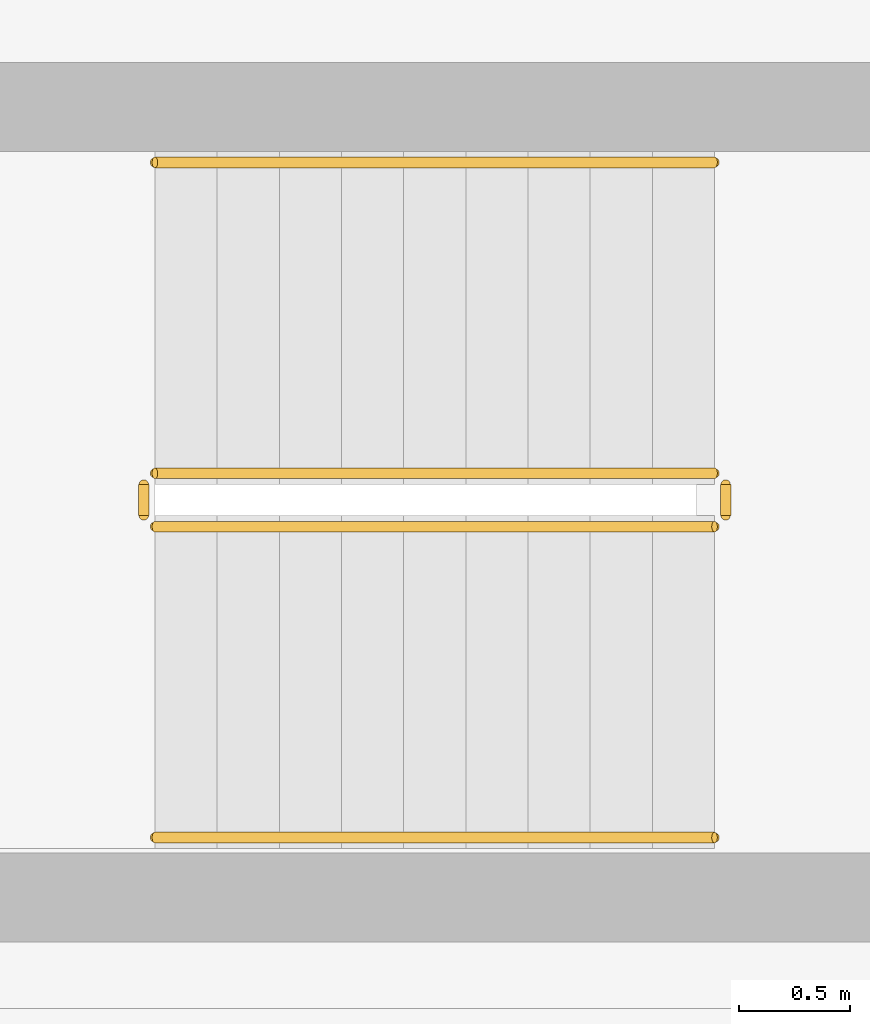
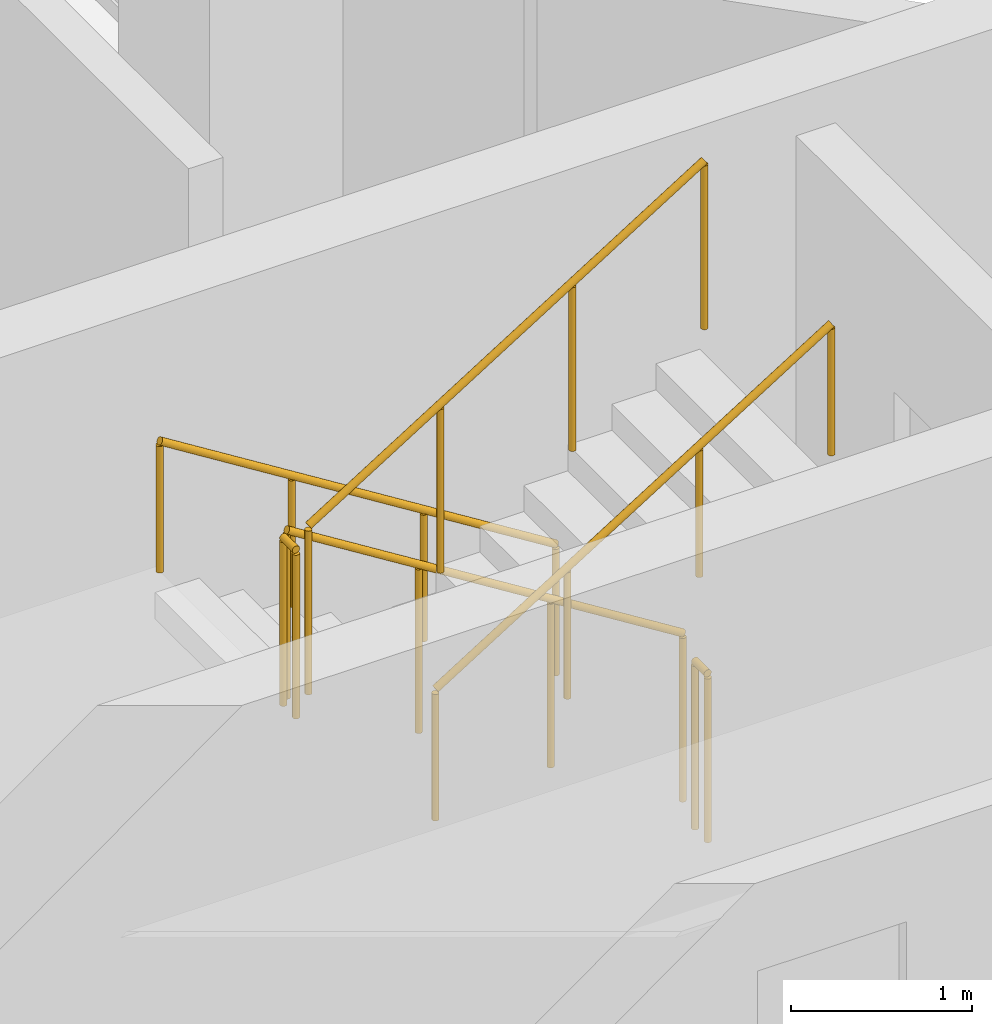
# One storey, part 14 of 18: 6 railings.
"""IFC4 building model written with IfcOpenShell, lengths in metres."""

from ifc_helpers import new_model, si_unit, derived_unit, direction, frame, origin, origin_2d, place, context, subcontext, project, spatial, circle, extrude, material, type_object, element, save


model = new_model("IFC4")

# Units and contexts
model_context = context("Model", 3, precision=1e-05, world=origin(), true_north=direction((0.0, 1.0)))
body_context = subcontext(model_context, "Body", "Model", "MODEL_VIEW")
ifc_project = project(units=[si_unit("LENGTHUNIT", "METRE"), si_unit("AREAUNIT", "SQUARE_METRE"), si_unit("VOLUMEUNIT", "CUBIC_METRE"), si_unit("PLANEANGLEUNIT", "RADIAN"), si_unit("MASSUNIT", "GRAM", prefix="KILO"), derived_unit("THERMALTRANSMITTANCEUNIT", [(si_unit("POWERUNIT", "WATT"), 1), (si_unit("LENGTHUNIT", "METRE"), -2), (si_unit("THERMODYNAMICTEMPERATUREUNIT", "KELVIN"), -1)])], contexts=[model_context])

# Site, building, storey
site_placement = place(None, origin())
site = spatial("IfcSite", under=ifc_project, at=site_placement, CompositionType="ELEMENT")
building_placement = place(site_placement, origin())
building = spatial("IfcBuilding", under=site, at=building_placement, Name="Kivonza Crest Hotel", CompositionType="ELEMENT")
storey_placement = place(building_placement, frame((0.0, 0.0, 131.0)))
storey = spatial("IfcBuildingStorey", under=building, at=storey_placement, Name="L35", CompositionType="ELEMENT", Elevation=131.0)

# Railings
ifc_material_1 = material(Name="Brushed stainless steel handrail", Category="steel")
railing_type_1 = type_object("IfcRailingType", Name="RL-HAND-900", PredefinedType="HANDRAIL", material=ifc_material_1)
railing_1_placement = place(storey_placement, frame((12.239990234375, 16.949951171875, 0.175048828125)))
element("IfcRailing", 1, at=railing_1_placement, inside=storey, type_object=railing_type_1, Name="L35 ST-T1-S stair handrail 1", PredefinedType="HANDRAIL", context=body_context, shape_type="SweptSolid", body=[
    extrude(circle(Radius=0.02392578125, at=origin_2d()), frame((0.0, 0.0, 0.8759765625), z_axis=(-0.848007534815, 0.0, 0.529984170421), x_axis=(0.0, -1.0, 0.0)), (0.0, 0.0, 1.0), 2.9716796875),
    extrude(circle(Radius=0.02099609375, at=origin_2d()), origin(), (0.0, 0.0, 1.0), 0.851806640625),
    extrude(circle(Radius=0.02099609375, at=origin_2d()), frame((-0.840087890625, 0.0, 0.52490234375)), (0.0, 0.0, 1.0), 0.851806640625),
    extrude(circle(Radius=0.02099609375, at=origin_2d()), frame((-1.679931640625, 0.0, 1.050048828125)), (0.0, 0.0, 1.0), 0.851806640625),
    extrude(circle(Radius=0.02099609375, at=origin_2d()), frame((-2.52001953125, 0.0, 1.574951171875)), (0.0, 0.0, 1.0), 0.851806640625),
])
railing_2_placement = place(storey_placement, frame((9.719970703125, 13.909912109375, 1.925048828125)))
element("IfcRailing", 2, at=railing_2_placement, inside=storey, type_object=railing_type_1, Name="L35 ST-T1-S stair handrail 2", PredefinedType="HANDRAIL", context=body_context, shape_type="SweptSolid", body=[
    extrude(circle(Radius=0.02392578125, at=origin_2d()), frame((0.0, 0.0, 0.8759765625), z_axis=(0.848007534815, 0.0, 0.529984170421), x_axis=(0.0, 1.0, 0.0)), (0.0, 0.0, 1.0), 2.9716796875),
    extrude(circle(Radius=0.02099609375, at=origin_2d()), origin(), (0.0, 0.0, 1.0), 0.851806640625),
    extrude(circle(Radius=0.02099609375, at=origin_2d()), frame((0.840087890625, 0.0, 0.52490234375)), (0.0, 0.0, 1.0), 0.851806640625),
    extrude(circle(Radius=0.02099609375, at=origin_2d()), frame((1.679931640625, 0.0, 1.050048828125)), (0.0, 0.0, 1.0), 0.851806640625),
    extrude(circle(Radius=0.02099609375, at=origin_2d()), frame((2.52001953125, 0.0, 1.574951171875)), (0.0, 0.0, 1.0), 0.851806640625),
])
ifc_material_2 = material(Name="Painted steel balustrade", Category="steel")
railing_type_2 = type_object("IfcRailingType", Name="RL-STAIR-1150", PredefinedType="BALUSTRADE", material=ifc_material_2)
railing_3_placement = place(storey_placement, frame((12.239990234375, 15.550048828125, 0.175048828125)))
element("IfcRailing", 3, at=railing_3_placement, inside=storey, type_object=railing_type_2, Name="L35 ST-T1-S stair guard 1", PredefinedType="BALUSTRADE", context=body_context, shape_type="SweptSolid", body=[
    extrude(circle(Radius=0.02392578125, at=origin_2d()), frame((0.0, 0.0, 1.1259765625), z_axis=(-0.848007534815, 0.0, 0.529984170421), x_axis=(0.0, -1.0, 0.0)), (0.0, 0.0, 1.0), 2.9716796875),
    extrude(circle(Radius=0.02099609375, at=origin_2d()), origin(), (0.0, 0.0, 1.0), 1.101806640625),
    extrude(circle(Radius=0.02099609375, at=origin_2d()), frame((-0.840087890625, 0.0, 0.52490234375)), (0.0, 0.0, 1.0), 1.101806640625),
    extrude(circle(Radius=0.02099609375, at=origin_2d()), frame((-1.679931640625, 0.0, 1.050048828125)), (0.0, 0.0, 1.0), 1.101806640625),
    extrude(circle(Radius=0.02099609375, at=origin_2d()), frame((-2.52001953125, 0.0, 1.574951171875)), (0.0, 0.0, 1.0), 1.101806640625),
])
railing_4_placement = place(storey_placement, frame((9.669921875, 15.5, 1.75)))
element("IfcRailing", 4, at=railing_4_placement, inside=storey, type_object=railing_type_2, Name="L35 ST-T1-S stair guard 2", PredefinedType="BALUSTRADE", context=body_context, shape_type="SweptSolid", body=[
    extrude(circle(Radius=0.02392578125, at=origin_2d()), frame((0.0, 0.0, 1.1259765625), z_axis=(0.0, -1.0, 0.0), x_axis=(1.0, 0.0, 0.0)), (0.0, 0.0, 1.0), 0.139892578125),
    extrude(circle(Radius=0.02099609375, at=origin_2d()), origin(), (0.0, 0.0, 1.0), 1.101806640625),
    extrude(circle(Radius=0.02099609375, at=origin_2d()), frame((0.0, -0.139892578125, 0.0)), (0.0, 0.0, 1.0), 1.101806640625),
])
railing_5_placement = place(storey_placement, frame((9.719970703125, 15.31005859375, 1.925048828125)))
element("IfcRailing", 5, at=railing_5_placement, inside=storey, type_object=railing_type_2, Name="L35 ST-T1-S stair guard 3", PredefinedType="BALUSTRADE", context=body_context, shape_type="SweptSolid", body=[
    extrude(circle(Radius=0.02392578125, at=origin_2d()), frame((0.0, 0.0, 1.1259765625), z_axis=(0.848007534815, 0.0, 0.529984170421), x_axis=(0.0, 1.0, 0.0)), (0.0, 0.0, 1.0), 2.9716796875),
    extrude(circle(Radius=0.02099609375, at=origin_2d()), origin(), (0.0, 0.0, 1.0), 1.101806640625),
    extrude(circle(Radius=0.02099609375, at=origin_2d()), frame((0.840087890625, 0.0, 0.52490234375)), (0.0, 0.0, 1.0), 1.101806640625),
    extrude(circle(Radius=0.02099609375, at=origin_2d()), frame((1.679931640625, 0.0, 1.050048828125)), (0.0, 0.0, 1.0), 1.101806640625),
    extrude(circle(Radius=0.02099609375, at=origin_2d()), frame((2.52001953125, 0.0, 1.574951171875)), (0.0, 0.0, 1.0), 1.101806640625),
])
railing_6_placement = place(storey_placement, frame((12.2900390625, 15.5, 0.0)))
element("IfcRailing", 6, at=railing_6_placement, inside=storey, type_object=railing_type_2, Name="L35 ST-T1-S stair guard 4", PredefinedType="BALUSTRADE", context=body_context, shape_type="SweptSolid", body=[
    extrude(circle(Radius=0.02392578125, at=origin_2d()), frame((0.0, 0.0, 1.1259765625), z_axis=(0.0, -1.0, 0.0), x_axis=(1.0, 0.0, 0.0)), (0.0, 0.0, 1.0), 0.139892578125),
    extrude(circle(Radius=0.02099609375, at=origin_2d()), origin(), (0.0, 0.0, 1.0), 1.101806640625),
    extrude(circle(Radius=0.02099609375, at=origin_2d()), frame((0.0, -0.139892578125, 0.0)), (0.0, 0.0, 1.0), 1.101806640625),
])

save(model, "model.ifc")
